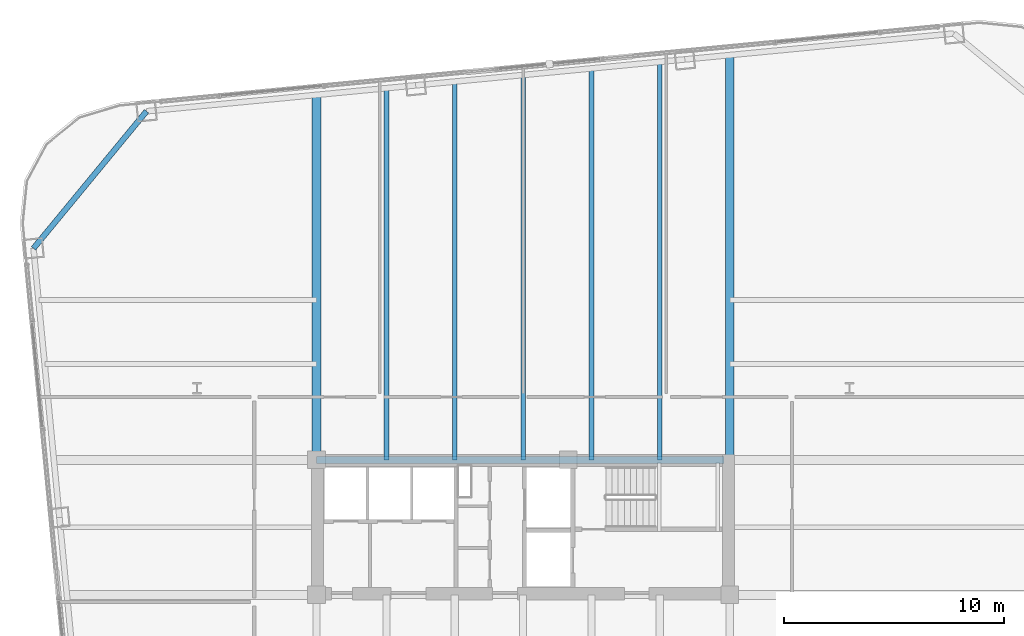
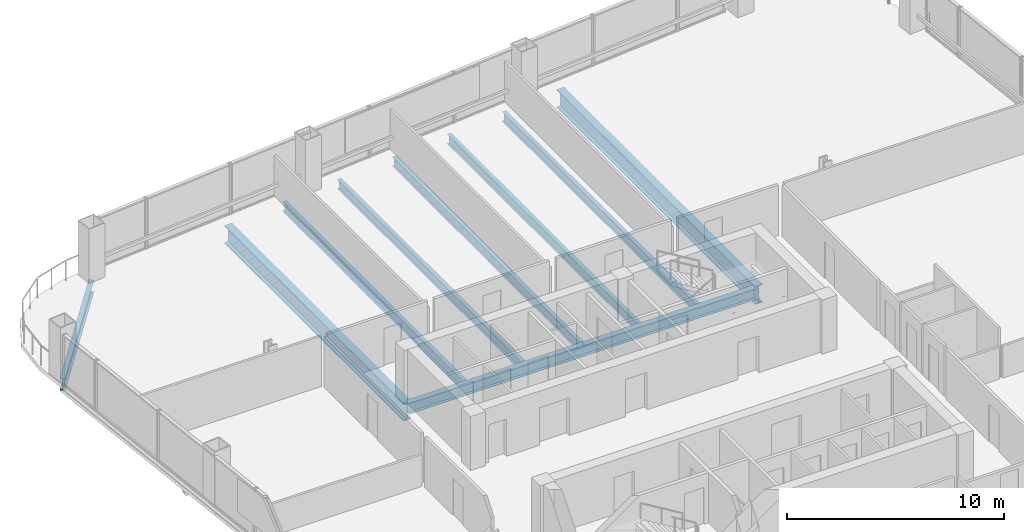
# One storey, part 19 of 32: 9 beams.
"""IFC4 building model written with IfcOpenShell, lengths in metres."""

from ifc_helpers import new_model, si_unit, direction, frame, origin, origin_2d, place, context, subcontext, project, spatial, i_section, extrude, material, material_profile, profile_set, type_object, element, save


model = new_model("IFC4")

# Units and contexts
model_context = context("Model", 3, precision=1e-05, world=origin(), true_north=direction((0.0, 1.0)))
body_context = subcontext(model_context, "Body", "Model", "MODEL_VIEW")
ifc_project = project(units=[si_unit("LENGTHUNIT", "METRE"), si_unit("AREAUNIT", "SQUARE_METRE"), si_unit("VOLUMEUNIT", "CUBIC_METRE"), si_unit("PLANEANGLEUNIT", "RADIAN"), si_unit("MASSUNIT", "GRAM", prefix="KILO")], contexts=[model_context])

# Site, building, storey
site_placement = place(None, origin())
site = spatial("IfcSite", under=ifc_project, at=site_placement, CompositionType="ELEMENT")
building_placement = place(site_placement, origin())
building = spatial("IfcBuilding", under=site, at=building_placement, Name="Qhalaya Broadcast Tower", CompositionType="ELEMENT")
storey_placement = place(building_placement, frame((0.0, 0.0, 87.75)))
storey = spatial("IfcBuildingStorey", under=building, at=storey_placement, Name="L25", CompositionType="ELEMENT", Elevation=87.75)

# Beams
ifc_material = material(Name="Structural Steel ASTM A992 Grade 50", Category="steel")
ifc_material_profile_1 = material_profile(ifc_material, i_section(OverallWidth=0.2099609375, OverallDepth=0.535888671875, WebThickness=0.010986328125, FlangeThickness=0.017333984375, at=origin_2d()), Name="W21X68")
ifc_profile_set_1 = profile_set([ifc_material_profile_1], Name="Structural Steel ASTM A992 Grade 50")
beam_type_1 = type_object("IfcBeamType", Name="Composite Floor Joist J02", PredefinedType="JOIST", material=ifc_profile_set_1)
beam_1_placement = place(storey_placement, frame((-6.199951171875, 9.949951171875, -0.488037109375), z_axis=(0.0, 1.0, 0.0), x_axis=(-1.0, 0.0, 0.0)))
element("IfcBeam", 1, at=beam_1_placement, inside=storey, type_object=beam_type_1, Name="L25 J02 L25-JNN1-1", PredefinedType="JOIST", context=body_context, shape_type="SweptSolid", body=[
    extrude(i_section(OverallWidth=0.2099609375, OverallDepth=0.535888671875, WebThickness=0.010986328125, FlangeThickness=0.017333984375, at=origin_2d()), origin(), (0.0, 0.0, 1.0), 16.843505859375),
])
beam_2_placement = place(storey_placement, frame((-3.10009765625, 9.949951171875, -0.488037109375), z_axis=(0.0, 1.0, 0.0), x_axis=(-1.0, 0.0, 0.0)))
element("IfcBeam", 2, at=beam_2_placement, inside=storey, type_object=beam_type_1, Name="L25 J02 L25-JNN2-1", PredefinedType="JOIST", context=body_context, shape_type="SweptSolid", body=[
    extrude(i_section(OverallWidth=0.2099609375, OverallDepth=0.535888671875, WebThickness=0.010986328125, FlangeThickness=0.017333984375, at=origin_2d()), origin(), (0.0, 0.0, 1.0), 17.14208984375),
])
beam_3_placement = place(storey_placement, frame((0.0, 9.949951171875, -0.488037109375), z_axis=(0.0, 1.0, 0.0), x_axis=(-1.0, 0.0, 0.0)))
element("IfcBeam", 3, at=beam_3_placement, inside=storey, type_object=beam_type_1, Name="L25 J02 L25-JNN3-1", PredefinedType="JOIST", context=body_context, shape_type="SweptSolid", body=[
    extrude(i_section(OverallWidth=0.2099609375, OverallDepth=0.535888671875, WebThickness=0.010986328125, FlangeThickness=0.017333984375, at=origin_2d()), origin(), (0.0, 0.0, 1.0), 17.4404296875),
])
beam_4_placement = place(storey_placement, frame((3.10009765625, 9.949951171875, -0.488037109375), z_axis=(0.0, 1.0, 0.0), x_axis=(-1.0, 0.0, 0.0)))
element("IfcBeam", 4, at=beam_4_placement, inside=storey, type_object=beam_type_1, Name="L25 J02 L25-JNN4-1", PredefinedType="JOIST", context=body_context, shape_type="SweptSolid", body=[
    extrude(i_section(OverallWidth=0.2099609375, OverallDepth=0.535888671875, WebThickness=0.010986328125, FlangeThickness=0.017333984375, at=origin_2d()), origin(), (0.0, 0.0, 1.0), 17.739013671875),
])
beam_5_placement = place(storey_placement, frame((6.199951171875, 9.949951171875, -0.488037109375), z_axis=(0.0, 1.0, 0.0), x_axis=(-1.0, 0.0, 0.0)))
element("IfcBeam", 5, at=beam_5_placement, inside=storey, type_object=beam_type_1, Name="L25 J02 L25-JNN5-1", PredefinedType="JOIST", context=body_context, shape_type="SweptSolid", body=[
    extrude(i_section(OverallWidth=0.2099609375, OverallDepth=0.535888671875, WebThickness=0.010986328125, FlangeThickness=0.017333984375, at=origin_2d()), origin(), (0.0, 0.0, 1.0), 18.03759765625),
])
ifc_material_profile_2 = material_profile(ifc_material, i_section(OverallWidth=0.323974609375, OverallDepth=0.612060546875, WebThickness=0.0126953125, FlangeThickness=0.01904296875, at=origin_2d()), Name="W24X104")
ifc_profile_set_2 = profile_set([ifc_material_profile_2], Name="Structural Steel ASTM A992 Grade 50")
beam_type_2 = type_object("IfcBeamType", Name="Core Frame Tie Beam B04", PredefinedType="BEAM", material=ifc_profile_set_2)
beam_6_placement = place(storey_placement, frame((-9.375, 9.949951171875, -0.52587890625), z_axis=(1.0, 0.0, 0.0), x_axis=(0.0, 1.0, 0.0)))
element("IfcBeam", 6, at=beam_6_placement, inside=storey, type_object=beam_type_2, Name="L25 B04 L25-CCN3", PredefinedType="BEAM", context=body_context, shape_type="SweptSolid", body=[
    extrude(i_section(OverallWidth=0.323974609375, OverallDepth=0.612060546875, WebThickness=0.0126953125, FlangeThickness=0.01904296875, at=origin_2d()), origin(), (0.0, 0.0, 1.0), 18.4951171875),
])
ifc_material_profile_3 = material_profile(ifc_material, i_section(OverallWidth=0.40087890625, OverallDepth=1.010986328125, WebThickness=0.023681640625, FlangeThickness=0.0419921875, at=origin_2d()), Name="W40X297")
ifc_profile_set_3 = profile_set([ifc_material_profile_3], Name="Structural Steel ASTM A992 Grade 50")
beam_type_3 = type_object("IfcBeamType", Name="Lower Block Primary Girder PG2", PredefinedType="USERDEFINED", material=ifc_profile_set_3)
beam_7_placement = place(storey_placement, frame((-9.375, 9.949951171875, -0.7255859375), z_axis=(0.0, 1.0, 0.0), x_axis=(-1.0, 0.0, 0.0)))
element("IfcBeam", 7, at=beam_7_placement, inside=storey, type_object=beam_type_3, Name="L25 PG2 L25-PGXN1-1", ObjectType="GIRDER", PredefinedType="USERDEFINED", context=body_context, shape_type="SweptSolid", body=[
    extrude(i_section(OverallWidth=0.40087890625, OverallDepth=1.010986328125, WebThickness=0.023681640625, FlangeThickness=0.0419921875, at=origin_2d()), origin(), (0.0, 0.0, 1.0), 16.537841796875),
])
beam_8_placement = place(storey_placement, frame((9.375, 9.949951171875, -0.7255859375), z_axis=(0.0, 1.0, 0.0), x_axis=(-1.0, 0.0, 0.0)))
element("IfcBeam", 8, at=beam_8_placement, inside=storey, type_object=beam_type_3, Name="L25 PG2 L25-PGXN2-1", ObjectType="GIRDER", PredefinedType="USERDEFINED", context=body_context, shape_type="SweptSolid", body=[
    extrude(i_section(OverallWidth=0.40087890625, OverallDepth=1.010986328125, WebThickness=0.023681640625, FlangeThickness=0.0419921875, at=origin_2d()), origin(), (0.0, 0.0, 1.0), 18.34326171875),
])
ifc_material_profile_4 = material_profile(ifc_material, i_section(OverallWidth=0.25390625, OverallDepth=0.68310546875, WebThickness=0.012451171875, FlangeThickness=0.01904296875, at=origin_2d()), Name="W27X94")
ifc_profile_set_4 = profile_set([ifc_material_profile_4], Name="Structural Steel ASTM A992 Grade 50")
beam_type_4 = type_object("IfcBeamType", Name="Perimeter Ring Spandrel Beam SP1", PredefinedType="SPANDREL", material=ifc_profile_set_4)
beam_9_placement = place(storey_placement, frame((-17.085205078125, 25.765380859375, -0.5615234375), z_axis=(-0.636085107008, -0.771618906354, 0.0), x_axis=(0.771618906354, -0.636085107008, 0.0)))
element("IfcBeam", 9, at=beam_9_placement, inside=storey, type_object=beam_type_4, Name="L25 SP1 L25-SPR-12", PredefinedType="SPANDREL", context=body_context, shape_type="SweptSolid", body=[
    extrude(i_section(OverallWidth=0.25390625, OverallDepth=0.68310546875, WebThickness=0.012451171875, FlangeThickness=0.01904296875, at=origin_2d()), origin(), (0.0, 0.0, 1.0), 8.06103515625),
])

save(model, "model.ifc")
